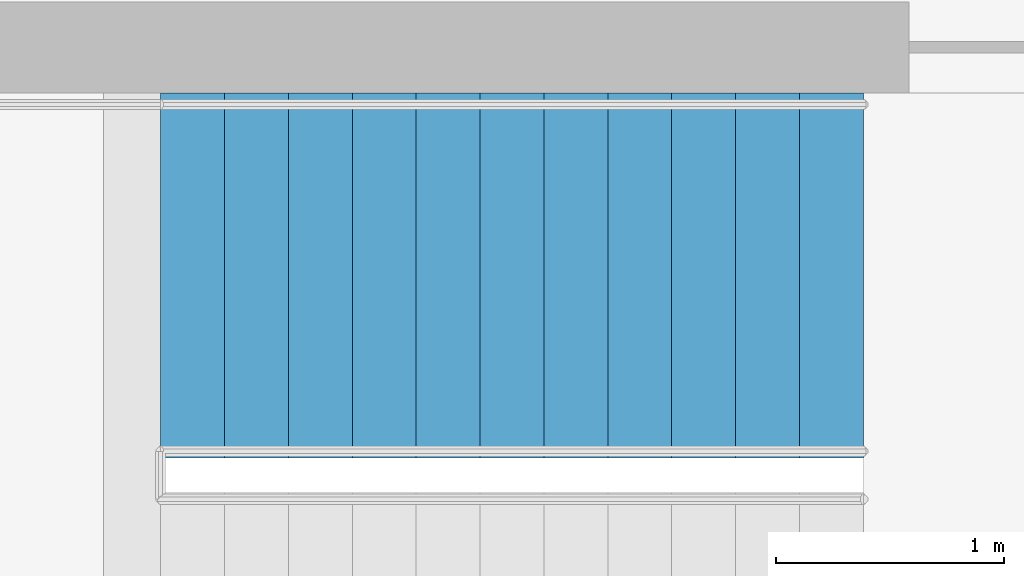
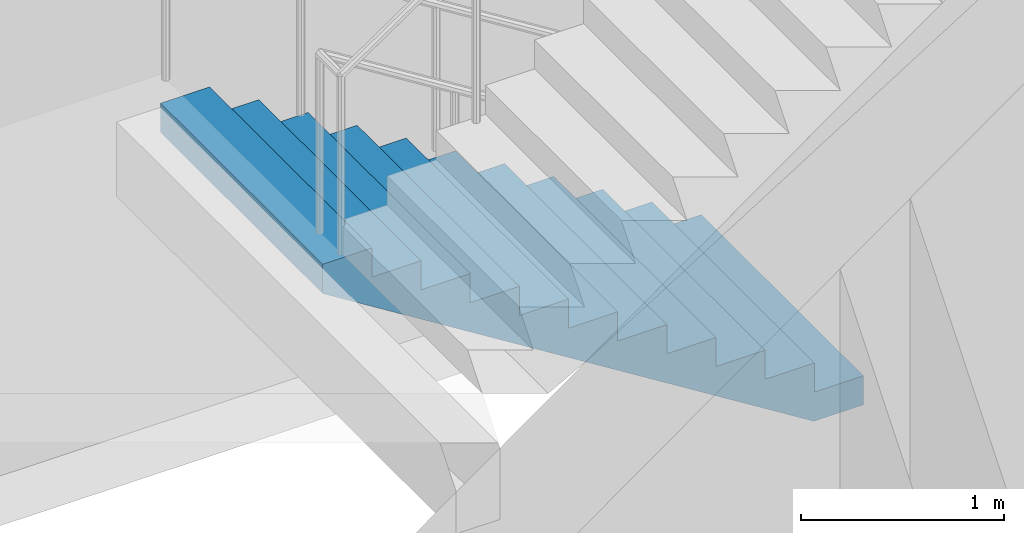
# One storey, part 18 of 23: 1 stair flight, 1 element without a shape of its own.
"""IFC4 building model written with IfcOpenShell, lengths in metres."""

from ifc_helpers import new_model, si_unit, direction, frame, origin, place, context, subcontext, project, spatial, polyline, outline, extrude, material, type_object, element, aggregate, save


model = new_model("IFC4")

# Units and contexts
model_context = context("Model", 3, precision=1e-05, world=origin(), true_north=direction((0.0, 1.0)))
body_context = subcontext(model_context, "Body", "Model", "MODEL_VIEW")
ifc_project = project(units=[si_unit("LENGTHUNIT", "METRE"), si_unit("AREAUNIT", "SQUARE_METRE"), si_unit("VOLUMEUNIT", "CUBIC_METRE"), si_unit("PLANEANGLEUNIT", "RADIAN"), si_unit("MASSUNIT", "GRAM", prefix="KILO")], contexts=[model_context])

# Site, building, storey
site_placement = place(None, origin())
site = spatial("IfcSite", under=ifc_project, at=site_placement, CompositionType="ELEMENT")
building_placement = place(site_placement, origin())
building = spatial("IfcBuilding", under=site, at=building_placement, Name="Cobogo Forest Laboratory Tower", CompositionType="ELEMENT")
storey_placement = place(building_placement, frame((0.0, 0.0, 103.199951171875)))
storey = spatial("IfcBuildingStorey", under=building, at=storey_placement, Name="L23", CompositionType="ELEMENT", Elevation=103.199951171875)

# Stair, stair flight
ifc_material = material(Name="Precast concrete HA-40 (C40/50)", Category="concrete")
stair_type = type_object("IfcStairType", Name="ST24 exit stair 24 risers", PredefinedType="HALF_TURN_STAIR", material=ifc_material)
stair_placement = place(storey_placement, origin())
stair = element("IfcStair", 1, at=stair_placement, inside=storey, type_object=stair_type, Name="Stair 2 L23 to L24", PredefinedType="HALF_TURN_STAIR")
stair_flight_type = type_object("IfcStairFlightType", Name="ST stair flight 280 going", PredefinedType="STRAIGHT", material=ifc_material)
stair_flight_placement = place(storey_placement, frame((37.47509765625, 25.699951171875, 0.0), z_axis=(0.0, 0.0, 1.0), x_axis=(-1.0, 0.0, 0.0)))
stair_flight = element("IfcStairFlight", 2, at=stair_flight_placement, type_object=stair_flight_type, Name="ST2 flight 1", NumberOfRisers=12, NumberOfTreads=11, PredefinedType="STRAIGHT", RiserHeight=0.175, TreadLength=0.28, context=body_context, shape_type="SweptSolid", body=[
    extrude(outline(polyline([(0.0, 0.0), (0.0, 0.175048828125), (0.280029296875, 0.175048828125), (0.280029296875, 0.35009765625), (0.56005859375, 0.35009765625), (0.56005859375, 0.52490234375), (0.840087890625, 0.52490234375), (0.840087890625, 0.699951171875), (1.1201171875, 0.699951171875), (1.1201171875, 0.875), (1.39990234375, 0.875), (1.39990234375, 1.050048828125), (1.679931640625, 1.050048828125), (1.679931640625, 1.22509765625), (1.9599609375, 1.22509765625), (1.9599609375, 1.39990234375), (2.239990234375, 1.39990234375), (2.239990234375, 1.574951171875), (2.52001953125, 1.574951171875), (2.52001953125, 1.75), (2.800048828125, 1.75), (2.800048828125, 1.925048828125), (3.080078125, 1.925048828125), (3.080078125, 2.10009765625), (3.080078125, 1.748291015625), (0.28271484375, 0.0), (0.0, 0.0)])), frame((0.0, 0.800048828125, 0.0), z_axis=(0.0, -1.0, 0.0), x_axis=(1.0, 0.0, 0.0)), (0.0, 0.0, 1.0), 1.60009765625),
])
aggregate(stair, [stair_flight])

save(model, "model.ifc")
